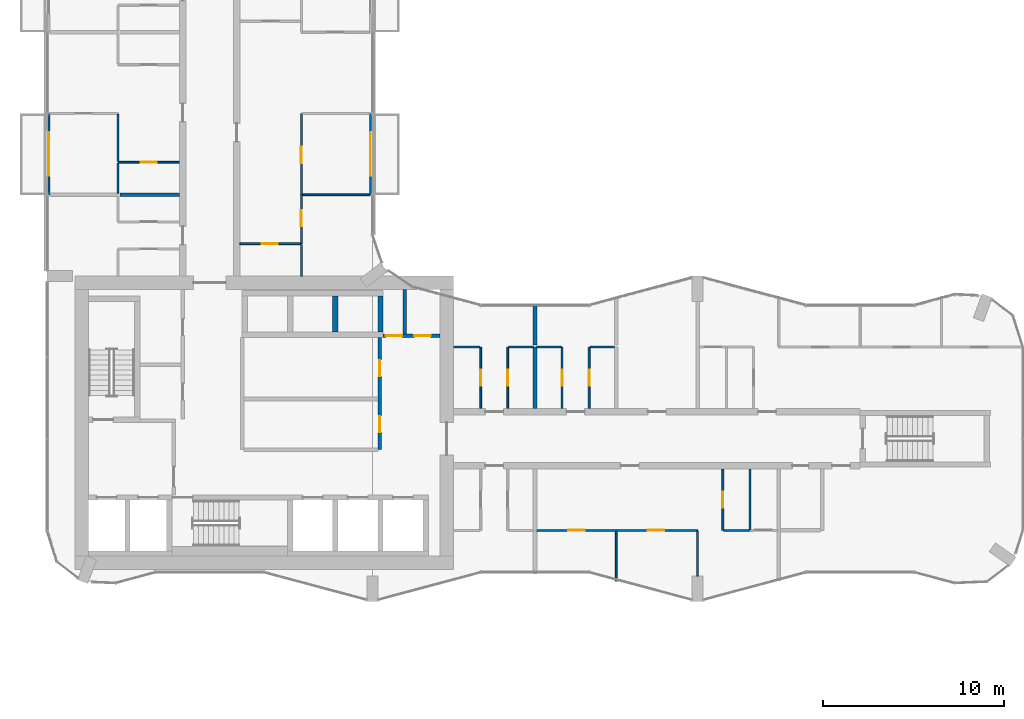
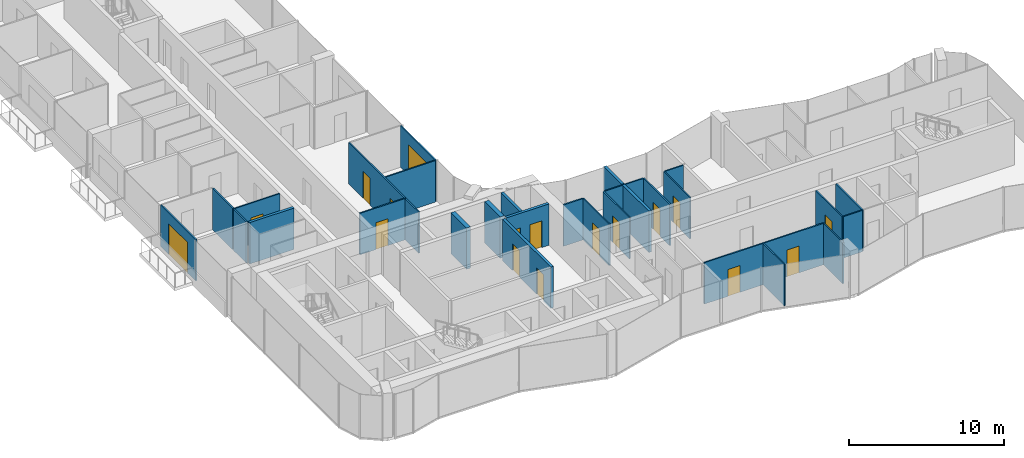
# One storey, part 14 of 23: 31 walls, 17 doors, 17 openings.
"""IFC4 building model written with IfcOpenShell, lengths in metres."""

from ifc_helpers import new_model, si_unit, direction, frame, frame_2d, origin, place, context, subcontext, project, spatial, rectangle, extrude, material, layer, layer_set, type_object, element, fill, save


model = new_model("IFC4")

# Units and contexts
model_context = context("Model", 3, precision=1e-05, world=origin(), true_north=direction((0.0, 1.0)))
body_context = subcontext(model_context, "Body", "Model", "MODEL_VIEW")
ifc_project = project(units=[si_unit("LENGTHUNIT", "METRE"), si_unit("AREAUNIT", "SQUARE_METRE"), si_unit("VOLUMEUNIT", "CUBIC_METRE"), si_unit("PLANEANGLEUNIT", "RADIAN"), si_unit("MASSUNIT", "GRAM", prefix="KILO")], contexts=[model_context])

# Site, building, storey
site_placement = place(None, origin())
site = spatial("IfcSite", under=ifc_project, at=site_placement, CompositionType="ELEMENT")
building_placement = place(site_placement, origin())
building = spatial("IfcBuilding", under=site, at=building_placement, Name="Plateau Cross Towers", CompositionType="ELEMENT")
storey_placement = place(building_placement, frame((0.0, 0.0, 33.800048828125)))
storey = spatial("IfcBuildingStorey", under=building, at=storey_placement, Name="L07", CompositionType="ELEMENT", Elevation=33.800048828125)

# Wall, opening, door
ifc_material_1 = material(Name="Aluminium framed glazing", Category="aluminium")
ifc_layer_1 = layer(ifc_material_1, 0.10009765625)
ifc_layer_set_1 = layer_set([ifc_layer_1], Name="Aluminium framed glazing")
wall_type_1 = type_object("IfcWallType", Name="Balcony screen wall 100", PredefinedType="STANDARD", material=ifc_layer_set_1)
wall_1_placement = place(storey_placement, frame((0.10009765625, 22.5, 0.0), z_axis=(0.0, 0.0, 1.0), x_axis=(0.0, 1.0, 0.0)))
wall_1 = element("IfcWall", 1, at=wall_1_placement, inside=storey, type_object=wall_type_1, Name="Balcony screen wall A-BAL-L07-01", PredefinedType="STANDARD", context=body_context, shape_type="SweptSolid", body=[
    extrude(rectangle(XDim=4.5, YDim=0.10009765625, at=frame_2d((2.25, 0.0))), origin(), (0.0, 0.0, 1.0), 3.25),
])
opening_1_placement = place(wall_1_placement, frame((1.050048828125, 0.0, 0.0)))
opening_1 = element("IfcOpeningElement", 2, at=opening_1_placement, cuts=wall_1, Name="Opening D-B24", PredefinedType="OPENING", context=body_context, shape_type="SweptSolid", body=[
    extrude(rectangle(XDim=2.39990234375, YDim=2.39990234375, at=frame_2d((1.199951171875, 1.199951171875))), frame((0.0, 0.06005859375, 0.0), z_axis=(0.0, -1.0, 0.0), x_axis=(1.0, 0.0, 0.0)), (0.0, 0.0, 1.0), 0.1201171875),
])
ifc_material_2 = material(Name="Aluminium frame, double glazing", Category="aluminium")
door_type_1 = type_object("IfcDoorType", Name="Balcony sliding door 2400", OperationType="NOTDEFINED", PredefinedType="DOOR", material=ifc_material_2)
door_1_placement = place(opening_1_placement, origin())
door_1 = element("IfcDoor", 3, at=door_1_placement, inside=storey, type_object=door_type_1, Name="Balcony door A-BAL-L07-01", OperationType="SINGLE_SWING_LEFT", OverallHeight=2.39990234375, OverallWidth=2.39990234375, PredefinedType="DOOR", context=body_context, shape_type="SweptSolid", body=[
    extrude(rectangle(XDim=2.39990234375, YDim=2.39990234375, at=frame_2d((1.199951171875, 1.199951171875))), frame((0.0, 0.02490234375, 0.0), z_axis=(0.0, -1.0, 0.0), x_axis=(1.0, 0.0, 0.0)), (0.0, 0.0, 1.0), 0.050048828125),
])
fill(opening_1, door_1)

wall_2_placement = place(storey_placement, frame((17.89990234375, 27.0, 0.0), z_axis=(0.0, 0.0, 1.0), x_axis=(0.0, -1.0, 0.0)))
wall_2 = element("IfcWall", 4, at=wall_2_placement, inside=storey, type_object=wall_type_1, Name="Balcony screen wall A-BAL-L07-04", PredefinedType="STANDARD", context=body_context, shape_type="SweptSolid", body=[
    extrude(rectangle(XDim=4.5, YDim=0.10009765625, at=frame_2d((2.25, 0.0))), origin(), (0.0, 0.0, 1.0), 3.25),
])
opening_2_placement = place(wall_2_placement, frame((1.050048828125, 0.0, 0.0)))
opening_2 = element("IfcOpeningElement", 5, at=opening_2_placement, cuts=wall_2, Name="Opening D-B24", PredefinedType="OPENING", context=body_context, shape_type="SweptSolid", body=[
    extrude(rectangle(XDim=2.39990234375, YDim=2.39990234375, at=frame_2d((1.199951171875, 1.199951171875))), frame((0.0, 0.06005859375, 0.0), z_axis=(0.0, -1.0, 0.0), x_axis=(1.0, 0.0, 0.0)), (0.0, 0.0, 1.0), 0.1201171875),
])
door_2_placement = place(opening_2_placement, origin())
door_2 = element("IfcDoor", 6, at=door_2_placement, inside=storey, type_object=door_type_1, Name="Balcony door A-BAL-L07-04", OperationType="SINGLE_SWING_LEFT", OverallHeight=2.39990234375, OverallWidth=2.39990234375, PredefinedType="DOOR", context=body_context, shape_type="SweptSolid", body=[
    extrude(rectangle(XDim=2.39990234375, YDim=2.39990234375, at=frame_2d((1.199951171875, 1.199951171875))), frame((0.0, 0.02490234375, 0.0), z_axis=(0.0, -1.0, 0.0), x_axis=(1.0, 0.0, 0.0)), (0.0, 0.0, 1.0), 0.050048828125),
])
fill(opening_2, door_2)

# Wall, openings, doors
ifc_material_3 = material(Name="Concrete block, plastered both sides", Category="concrete")
ifc_layer_2 = layer(ifc_material_3, 0.199951171875)
ifc_layer_set_2 = layer_set([ifc_layer_2], Name="Concrete block, plastered both sides")
wall_type_2 = type_object("IfcWallType", Name="Core partition 200", PredefinedType="PARTITIONING", material=ifc_layer_set_2)
wall_3_placement = place(storey_placement, frame((18.39990234375, 8.39990234375, 0.0), z_axis=(0.0, 0.0, 1.0), x_axis=(0.0, 1.0, 0.0)))
wall_3 = element("IfcWall", 7, at=wall_3_placement, inside=storey, type_object=wall_type_2, Name="Core partition", PredefinedType="PARTITIONING", context=body_context, shape_type="SweptSolid", body=[
    extrude(rectangle(XDim=6.2001953125, YDim=0.199951171875, at=frame_2d((3.10009765625, 0.0))), origin(), (0.0, 0.0, 1.0), 3.25),
])
opening_3_placement = place(wall_3_placement, frame((0.949951171875, 0.0, 0.0)))
opening_3 = element("IfcOpeningElement", 8, at=opening_3_placement, cuts=wall_3, Name="Opening RD1", PredefinedType="OPENING", context=body_context, shape_type="SweptSolid", body=[
    extrude(rectangle(XDim=0.89990234375, YDim=2.10009765625, at=frame_2d((0.449951171875, 1.050048828125))), frame((0.0, 0.10986328125, 0.0), z_axis=(0.0, -1.0, 0.0), x_axis=(1.0, 0.0, 0.0)), (0.0, 0.0, 1.0), 0.219970703125),
])
opening_4_placement = place(wall_3_placement, frame((4.050048828125, 0.0, 0.0)))
opening_4 = element("IfcOpeningElement", 9, at=opening_4_placement, cuts=wall_3, Name="Opening RD1", PredefinedType="OPENING", context=body_context, shape_type="SweptSolid", body=[
    extrude(rectangle(XDim=0.89990234375, YDim=2.10009765625, at=frame_2d((0.449951171875, 1.050048828125))), frame((0.0, 0.10986328125, 0.0), z_axis=(0.0, -1.0, 0.0), x_axis=(1.0, 0.0, 0.0)), (0.0, 0.0, 1.0), 0.219970703125),
])
ifc_material_4 = material(Name="Timber, fire-resisting leaf", Category="wood")
door_type_2 = type_object("IfcDoorType", Name="Core service door 900", OperationType="NOTDEFINED", PredefinedType="DOOR", material=ifc_material_4)
door_3_placement = place(opening_3_placement, origin())
door_3 = element("IfcDoor", 10, at=door_3_placement, inside=storey, type_object=door_type_2, Name="Core service door RD1", OperationType="SINGLE_SWING_LEFT", OverallHeight=2.10009765625, OverallWidth=0.89990234375, PredefinedType="DOOR", context=body_context, shape_type="SweptSolid", body=[
    extrude(rectangle(XDim=0.89990234375, YDim=2.10009765625, at=frame_2d((0.449951171875, 1.050048828125))), frame((0.0, 0.02490234375, 0.0), z_axis=(0.0, -1.0, 0.0), x_axis=(1.0, 0.0, 0.0)), (0.0, 0.0, 1.0), 0.050048828125),
])
fill(opening_3, door_3)
door_4_placement = place(opening_4_placement, origin())
door_4 = element("IfcDoor", 11, at=door_4_placement, inside=storey, type_object=door_type_2, Name="Core service door RD1", OperationType="SINGLE_SWING_LEFT", OverallHeight=2.10009765625, OverallWidth=0.89990234375, PredefinedType="DOOR", context=body_context, shape_type="SweptSolid", body=[
    extrude(rectangle(XDim=0.89990234375, YDim=2.10009765625, at=frame_2d((0.449951171875, 1.050048828125))), frame((0.0, 0.02490234375, 0.0), z_axis=(0.0, -1.0, 0.0), x_axis=(1.0, 0.0, 0.0)), (0.0, 0.0, 1.0), 0.050048828125),
])
fill(opening_4, door_4)

wall_4_placement = place(storey_placement, frame((18.60009765625, 14.699951171875, 0.0), z_axis=(0.0, 0.0, 1.0), x_axis=(1.0, 0.0, 0.0)))
wall_4 = element("IfcWall", 12, at=wall_4_placement, inside=storey, type_object=wall_type_2, Name="Core partition", PredefinedType="PARTITIONING", context=body_context, shape_type="SweptSolid", body=[
    extrude(rectangle(XDim=3.14990234375, YDim=0.199951171875, at=frame_2d((1.574951171875, 0.0))), origin(), (0.0, 0.0, 1.0), 3.25),
])
opening_5_placement = place(wall_4_placement, frame((0.14990234375, 0.0, 0.0)))
opening_5 = element("IfcOpeningElement", 13, at=opening_5_placement, cuts=wall_4, Name="Opening RD2", PredefinedType="OPENING", context=body_context, shape_type="SweptSolid", body=[
    extrude(rectangle(XDim=0.89990234375, YDim=2.10009765625, at=frame_2d((0.449951171875, 1.050048828125))), frame((0.0, 0.10986328125, 0.0), z_axis=(0.0, -1.0, 0.0), x_axis=(1.0, 0.0, 0.0)), (0.0, 0.0, 1.0), 0.219970703125),
])
opening_6_placement = place(wall_4_placement, frame((1.72509765625, 0.0, 0.0)))
opening_6 = element("IfcOpeningElement", 14, at=opening_6_placement, cuts=wall_4, Name="Opening RD2", PredefinedType="OPENING", context=body_context, shape_type="SweptSolid", body=[
    extrude(rectangle(XDim=0.89990234375, YDim=2.10009765625, at=frame_2d((0.449951171875, 1.050048828125))), frame((0.0, 0.10986328125, 0.0), z_axis=(0.0, -1.0, 0.0), x_axis=(1.0, 0.0, 0.0)), (0.0, 0.0, 1.0), 0.219970703125),
])
ifc_material_5 = material(Name="Steel, fire-resisting leaf", Category="steel")
door_type_3 = type_object("IfcDoorType", Name="Core riser door 900", OperationType="NOTDEFINED", PredefinedType="DOOR", material=ifc_material_5)
door_5_placement = place(opening_5_placement, origin())
door_5 = element("IfcDoor", 15, at=door_5_placement, inside=storey, type_object=door_type_3, Name="Core riser door RD2", OperationType="SINGLE_SWING_LEFT", OverallHeight=2.10009765625, OverallWidth=0.89990234375, PredefinedType="DOOR", context=body_context, shape_type="SweptSolid", body=[
    extrude(rectangle(XDim=0.89990234375, YDim=2.10009765625, at=frame_2d((0.449951171875, 1.050048828125))), frame((0.0, 0.02490234375, 0.0), z_axis=(0.0, -1.0, 0.0), x_axis=(1.0, 0.0, 0.0)), (0.0, 0.0, 1.0), 0.050048828125),
])
fill(opening_5, door_5)
door_6_placement = place(opening_6_placement, origin())
door_6 = element("IfcDoor", 16, at=door_6_placement, inside=storey, type_object=door_type_3, Name="Core riser door RD2", OperationType="SINGLE_SWING_LEFT", OverallHeight=2.10009765625, OverallWidth=0.89990234375, PredefinedType="DOOR", context=body_context, shape_type="SweptSolid", body=[
    extrude(rectangle(XDim=0.89990234375, YDim=2.10009765625, at=frame_2d((0.449951171875, 1.050048828125))), frame((0.0, 0.02490234375, 0.0), z_axis=(0.0, -1.0, 0.0), x_axis=(1.0, 0.0, 0.0)), (0.0, 0.0, 1.0), 0.050048828125),
])
fill(opening_6, door_6)

# Walls
wall_5_placement = place(storey_placement, frame((19.800048828125, 14.800048828125, 0.0), z_axis=(0.0, 0.0, 1.0), x_axis=(0.0, 1.0, 0.0)))
element("IfcWall", 17, at=wall_5_placement, inside=storey, type_object=wall_type_2, Name="Core partition", PredefinedType="PARTITIONING", context=body_context, shape_type="SweptSolid", body=[
    extrude(rectangle(XDim=2.449951171875, YDim=0.199951171875, at=frame_2d((1.22509765625, 0.0))), origin(), (0.0, 0.0, 1.0), 3.25),
])
ifc_material_6 = material(Name="Concrete C60/75", Category="concrete")
ifc_layer_3 = layer(ifc_material_6, 0.300048828125)
ifc_layer_set_3 = layer_set([ifc_layer_3], Name="Concrete C60/75")
wall_type_3 = type_object("IfcWallType", Name="Core shaft wall 300", PredefinedType="SHEAR", material=ifc_layer_set_3)
for number, where, z_axis, x_axis, name in (
    (18, (15.949951171875, 14.89990234375, 0.0), (0.0, 0.0, 1.0), (0.0, 1.0, 0.0), "A-nb-v3@L07"),
    (19, (18.449951171875, 14.89990234375, 0.0), (0.0, 0.0, 1.0), (0.0, 1.0, 0.0), "A-nb-v4@L07"),
):
    element("IfcWall", number, at=place(storey_placement, frame(where, z_axis=z_axis, x_axis=x_axis)), inside=storey, type_object=wall_type_3, Name=name, PredefinedType="SHEAR", context=body_context, shape_type="SweptSolid", body=[
        extrude(rectangle(XDim=2.0, YDim=0.300048828125, at=frame_2d((1.0, 0.0))), origin(), (0.0, 0.0, 1.0), 3.25),
    ])

# Wall, openings, doors
ifc_material_7 = material(Name="Gypsum board on steel studs", Category="steel")
ifc_layer_4 = layer(ifc_material_7, 0.10009765625)
ifc_layer_set_4 = layer_set([ifc_layer_4], Name="Gypsum board on steel studs")
wall_type_4 = type_object("IfcWallType", Name="Flat partition 100", PredefinedType="PARTITIONING", material=ifc_layer_set_4)
wall_6_placement = place(storey_placement, frame((36.0, 3.925048828125, 0.0), z_axis=(0.0, 0.0, 1.0), x_axis=(-1.0, 0.0, 0.0)))
wall_6 = element("IfcWall", 20, at=wall_6_placement, inside=storey, type_object=wall_type_4, Name="Partition wall", PredefinedType="PARTITIONING", context=body_context, shape_type="SweptSolid", body=[
    extrude(rectangle(XDim=8.89990234375, YDim=0.10009765625, at=frame_2d((4.449951171875, 0.0))), origin(), (0.0, 0.0, 1.0), 3.25),
])
opening_7_placement = place(wall_6_placement, frame((6.25, 0.0, 0.0)))
opening_7 = element("IfcOpeningElement", 21, at=opening_7_placement, cuts=wall_6, Name="Opening 07-21", PredefinedType="OPENING", context=body_context, shape_type="SweptSolid", body=[
    extrude(rectangle(XDim=0.89990234375, YDim=2.10009765625, at=frame_2d((0.449951171875, 1.050048828125))), frame((0.0, 0.06005859375, 0.0), z_axis=(0.0, -1.0, 0.0), x_axis=(1.0, 0.0, 0.0)), (0.0, 0.0, 1.0), 0.1201171875),
])
opening_8_placement = place(wall_6_placement, frame((1.85009765625, 0.0, 0.0)))
opening_8 = element("IfcOpeningElement", 22, at=opening_8_placement, cuts=wall_6, Name="Opening 07-22", PredefinedType="OPENING", context=body_context, shape_type="SweptSolid", body=[
    extrude(rectangle(XDim=0.89990234375, YDim=2.10009765625, at=frame_2d((0.449951171875, 1.050048828125))), frame((0.0, 0.06005859375, 0.0), z_axis=(0.0, -1.0, 0.0), x_axis=(1.0, 0.0, 0.0)), (0.0, 0.0, 1.0), 0.1201171875),
])
ifc_material_8 = material(Name="Timber leaf", Category="wood")
door_type_4 = type_object("IfcDoorType", Name="Flat room door 900", OperationType="NOTDEFINED", PredefinedType="DOOR", material=ifc_material_8)
door_7_placement = place(opening_7_placement, origin())
door_7 = element("IfcDoor", 23, at=door_7_placement, inside=storey, type_object=door_type_4, Name="Door 07-21", OperationType="SINGLE_SWING_RIGHT", OverallHeight=2.10009765625, OverallWidth=0.89990234375, PredefinedType="DOOR", context=body_context, shape_type="SweptSolid", body=[
    extrude(rectangle(XDim=0.89990234375, YDim=2.10009765625, at=frame_2d((0.449951171875, 1.050048828125))), frame((0.0, 0.02490234375, 0.0), z_axis=(0.0, -1.0, 0.0), x_axis=(1.0, 0.0, 0.0)), (0.0, 0.0, 1.0), 0.050048828125),
])
fill(opening_7, door_7)
door_8_placement = place(opening_8_placement, origin())
door_8 = element("IfcDoor", 24, at=door_8_placement, inside=storey, type_object=door_type_4, Name="Door 07-22", OperationType="SINGLE_SWING_LEFT", OverallHeight=2.10009765625, OverallWidth=0.89990234375, PredefinedType="DOOR", context=body_context, shape_type="SweptSolid", body=[
    extrude(rectangle(XDim=0.89990234375, YDim=2.10009765625, at=frame_2d((0.449951171875, 1.050048828125))), frame((0.0, 0.02490234375, 0.0), z_axis=(0.0, -1.0, 0.0), x_axis=(1.0, 0.0, 0.0)), (0.0, 0.0, 1.0), 0.050048828125),
])
fill(opening_8, door_8)

# Walls
wall_7_placement = place(storey_placement, frame((37.449951171875, 3.925048828125, 0.0), z_axis=(0.0, 0.0, 1.0), x_axis=(1.0, 0.0, 0.0)))
element("IfcWall", 25, at=wall_7_placement, inside=storey, type_object=wall_type_4, Name="Partition wall", PredefinedType="PARTITIONING", context=body_context, shape_type="SweptSolid", body=[
    extrude(rectangle(XDim=1.400146484375, YDim=0.10009765625, at=frame_2d((0.7001953125, 0.0))), origin(), (0.0, 0.0, 1.0), 3.25),
])
wall_8_placement = place(storey_placement, frame((23.949951171875, 14.074951171875, 0.0), z_axis=(0.0, 0.0, 1.0), x_axis=(-1.0, 0.0, 0.0)))
element("IfcWall", 26, at=wall_8_placement, inside=storey, type_object=wall_type_4, Name="Partition wall", PredefinedType="PARTITIONING", context=body_context, shape_type="SweptSolid", body=[
    extrude(rectangle(XDim=1.449951171875, YDim=0.10009765625, at=frame_2d((0.72509765625, 0.0))), origin(), (0.0, 0.0, 1.0), 3.25),
])
for number, where, z_axis, x_axis, name in (
    (27, (26.89990234375, 14.074951171875, 0.0), (0.0, 0.0, 1.0), (-1.0, 0.0, 0.0), "Partition wall"),
    (28, (28.449951171875, 14.074951171875, 0.0), (0.0, 0.0, 1.0), (-1.0, 0.0, 0.0), "Partition wall"),
    (29, (31.39990234375, 14.074951171875, 0.0), (0.0, 0.0, 1.0), (-1.0, 0.0, 0.0), "Partition wall"),
):
    element("IfcWall", number, at=place(storey_placement, frame(where, z_axis=z_axis, x_axis=x_axis)), inside=storey, type_object=wall_type_4, Name=name, PredefinedType="PARTITIONING", context=body_context, shape_type="SweptSolid", body=[
        extrude(rectangle(XDim=1.349853515625, YDim=0.10009765625, at=frame_2d((0.6748046875, 0.0))), origin(), (0.0, 0.0, 1.0), 3.25),
    ])

# Wall, opening, door
wall_9_placement = place(storey_placement, frame((14.02490234375, 19.800048828125, 0.0), z_axis=(0.0, 0.0, 1.0), x_axis=(-1.0, 0.0, 0.0)))
wall_9 = element("IfcWall", 30, at=wall_9_placement, inside=storey, type_object=wall_type_4, Name="Partition wall", PredefinedType="PARTITIONING", context=body_context, shape_type="SweptSolid", body=[
    extrude(rectangle(XDim=3.349853515625, YDim=0.10009765625, at=frame_2d((1.6748046875, 0.0))), origin(), (0.0, 0.0, 1.0), 3.25),
])
opening_9_placement = place(wall_9_placement, frame((1.25, 0.0, 0.0)))
opening_9 = element("IfcOpeningElement", 31, at=opening_9_placement, cuts=wall_9, Name="Opening 07-44", PredefinedType="OPENING", context=body_context, shape_type="SweptSolid", body=[
    extrude(rectangle(XDim=0.89990234375, YDim=2.10009765625, at=frame_2d((0.449951171875, 1.050048828125))), frame((0.0, 0.06005859375, 0.0), z_axis=(0.0, -1.0, 0.0), x_axis=(1.0, 0.0, 0.0)), (0.0, 0.0, 1.0), 0.1201171875),
])
door_9_placement = place(opening_9_placement, origin())
door_9 = element("IfcDoor", 32, at=door_9_placement, inside=storey, type_object=door_type_4, Name="Door 07-44", OperationType="SINGLE_SWING_RIGHT", OverallHeight=2.10009765625, OverallWidth=0.89990234375, PredefinedType="DOOR", context=body_context, shape_type="SweptSolid", body=[
    extrude(rectangle(XDim=0.89990234375, YDim=2.10009765625, at=frame_2d((0.449951171875, 1.050048828125))), frame((0.0, 0.02490234375, 0.0), z_axis=(0.0, -1.0, 0.0), x_axis=(1.0, 0.0, 0.0)), (0.0, 0.0, 1.0), 0.050048828125),
])
fill(opening_9, door_9)

# Wall
wall_10_placement = place(storey_placement, frame((17.85009765625, 22.5, 0.0), z_axis=(0.0, 0.0, 1.0), x_axis=(-1.0, 0.0, 0.0)))
element("IfcWall", 33, at=wall_10_placement, inside=storey, type_object=wall_type_4, Name="Partition wall", PredefinedType="PARTITIONING", context=body_context, shape_type="SweptSolid", body=[
    extrude(rectangle(XDim=3.72509765625, YDim=0.10009765625, at=frame_2d((1.862548828125, 0.0))), origin(), (0.0, 0.0, 1.0), 3.25),
])

# Wall, opening, door
wall_11_placement = place(storey_placement, frame((7.324951171875, 24.300048828125, 0.0), z_axis=(0.0, 0.0, 1.0), x_axis=(-1.0, 0.0, 0.0)))
wall_11 = element("IfcWall", 34, at=wall_11_placement, inside=storey, type_object=wall_type_4, Name="Partition wall", PredefinedType="PARTITIONING", context=body_context, shape_type="SweptSolid", body=[
    extrude(rectangle(XDim=3.39990234375, YDim=0.10009765625, at=frame_2d((1.699951171875, 0.0))), origin(), (0.0, 0.0, 1.0), 3.25),
])
opening_10_placement = place(wall_11_placement, frame((1.25, 0.0, 0.0)))
opening_10 = element("IfcOpeningElement", 35, at=opening_10_placement, cuts=wall_11, Name="Opening 07-34", PredefinedType="OPENING", context=body_context, shape_type="SweptSolid", body=[
    extrude(rectangle(XDim=0.89990234375, YDim=2.10009765625, at=frame_2d((0.449951171875, 1.050048828125))), frame((0.0, 0.06005859375, 0.0), z_axis=(0.0, -1.0, 0.0), x_axis=(1.0, 0.0, 0.0)), (0.0, 0.0, 1.0), 0.1201171875),
])
door_10_placement = place(opening_10_placement, origin())
door_10 = element("IfcDoor", 36, at=door_10_placement, inside=storey, type_object=door_type_4, Name="Door 07-34", OperationType="SINGLE_SWING_LEFT", OverallHeight=2.10009765625, OverallWidth=0.89990234375, PredefinedType="DOOR", context=body_context, shape_type="SweptSolid", body=[
    extrude(rectangle(XDim=0.89990234375, YDim=2.10009765625, at=frame_2d((0.449951171875, 1.050048828125))), frame((0.0, 0.02490234375, 0.0), z_axis=(0.0, -1.0, 0.0), x_axis=(1.0, 0.0, 0.0)), (0.0, 0.0, 1.0), 0.050048828125),
])
fill(opening_10, door_10)

# Walls
wall_12_placement = place(storey_placement, frame((3.925048828125, 24.25, 0.0), z_axis=(0.0, 0.0, 1.0), x_axis=(0.0, -1.0, 0.0)))
element("IfcWall", 37, at=wall_12_placement, inside=storey, type_object=wall_type_4, Name="Partition wall", PredefinedType="PARTITIONING", context=body_context, shape_type="SweptSolid", body=[
    extrude(rectangle(XDim=1.64990234375, YDim=0.10009765625, at=frame_2d((0.824951171875, 0.0))), origin(), (0.0, 0.0, 1.0), 3.25),
])
wall_13_placement = place(storey_placement, frame((3.925048828125, 24.35009765625, 0.0), z_axis=(0.0, 0.0, 1.0), x_axis=(0.0, 1.0, 0.0)))
element("IfcWall", 38, at=wall_13_placement, inside=storey, type_object=wall_type_4, Name="Partition wall", PredefinedType="PARTITIONING", context=body_context, shape_type="SweptSolid", body=[
    extrude(rectangle(XDim=2.599853515625, YDim=0.10009765625, at=frame_2d((1.2998046875, 0.0))), origin(), (0.0, 0.0, 1.0), 3.25),
])

# Wall, openings, doors
wall_14_placement = place(storey_placement, frame((14.074951171875, 27.0, 0.0), z_axis=(0.0, 0.0, 1.0), x_axis=(0.0, -1.0, 0.0)))
wall_14 = element("IfcWall", 39, at=wall_14_placement, inside=storey, type_object=wall_type_4, Name="Partition wall", PredefinedType="PARTITIONING", context=body_context, shape_type="SweptSolid", body=[
    extrude(rectangle(XDim=7.199951171875, YDim=0.10009765625, at=frame_2d((3.60009765625, 0.0))), origin(), (0.0, 0.0, 1.0), 3.25),
])
opening_11_placement = place(wall_14_placement, frame((5.35009765625, 0.0, 0.0)))
opening_11 = element("IfcOpeningElement", 40, at=opening_11_placement, cuts=wall_14, Name="Opening 07-46", PredefinedType="OPENING", context=body_context, shape_type="SweptSolid", body=[
    extrude(rectangle(XDim=0.89990234375, YDim=2.10009765625, at=frame_2d((0.449951171875, 1.050048828125))), frame((0.0, 0.06005859375, 0.0), z_axis=(0.0, -1.0, 0.0), x_axis=(1.0, 0.0, 0.0)), (0.0, 0.0, 1.0), 0.1201171875),
])
opening_12_placement = place(wall_14_placement, frame((1.85009765625, 0.0, 0.0)))
opening_12 = element("IfcOpeningElement", 41, at=opening_12_placement, cuts=wall_14, Name="Opening 07-47", PredefinedType="OPENING", context=body_context, shape_type="SweptSolid", body=[
    extrude(rectangle(XDim=0.89990234375, YDim=2.10009765625, at=frame_2d((0.449951171875, 1.050048828125))), frame((0.0, 0.06005859375, 0.0), z_axis=(0.0, -1.0, 0.0), x_axis=(1.0, 0.0, 0.0)), (0.0, 0.0, 1.0), 0.1201171875),
])
door_11_placement = place(opening_11_placement, origin())
door_11 = element("IfcDoor", 42, at=door_11_placement, inside=storey, type_object=door_type_4, Name="Door 07-46", OperationType="SINGLE_SWING_RIGHT", OverallHeight=2.10009765625, OverallWidth=0.89990234375, PredefinedType="DOOR", context=body_context, shape_type="SweptSolid", body=[
    extrude(rectangle(XDim=0.89990234375, YDim=2.10009765625, at=frame_2d((0.449951171875, 1.050048828125))), frame((0.0, 0.02490234375, 0.0), z_axis=(0.0, -1.0, 0.0), x_axis=(1.0, 0.0, 0.0)), (0.0, 0.0, 1.0), 0.050048828125),
])
fill(opening_11, door_11)
door_12_placement = place(opening_12_placement, origin())
door_12 = element("IfcDoor", 43, at=door_12_placement, inside=storey, type_object=door_type_4, Name="Door 07-47", OperationType="SINGLE_SWING_LEFT", OverallHeight=2.10009765625, OverallWidth=0.89990234375, PredefinedType="DOOR", context=body_context, shape_type="SweptSolid", body=[
    extrude(rectangle(XDim=0.89990234375, YDim=2.10009765625, at=frame_2d((0.449951171875, 1.050048828125))), frame((0.0, 0.02490234375, 0.0), z_axis=(0.0, -1.0, 0.0), x_axis=(1.0, 0.0, 0.0)), (0.0, 0.0, 1.0), 0.050048828125),
])
fill(opening_12, door_12)

# Wall
wall_15_placement = place(storey_placement, frame((14.074951171875, 18.0, 0.0), z_axis=(0.0, 0.0, 1.0), x_axis=(0.0, 1.0, 0.0)))
element("IfcWall", 44, at=wall_15_placement, inside=storey, type_object=wall_type_4, Name="Partition wall", PredefinedType="PARTITIONING", context=body_context, shape_type="SweptSolid", body=[
    extrude(rectangle(XDim=1.75, YDim=0.10009765625, at=frame_2d((0.875, 0.0))), origin(), (0.0, 0.0, 1.0), 3.25),
])

# Wall, opening, door
wall_16_placement = place(storey_placement, frame((24.0, 10.675048828125, 0.0), z_axis=(0.0, 0.0, 1.0), x_axis=(0.0, 1.0, 0.0)))
wall_16 = element("IfcWall", 45, at=wall_16_placement, inside=storey, type_object=wall_type_4, Name="Partition wall", PredefinedType="PARTITIONING", context=body_context, shape_type="SweptSolid", body=[
    extrude(rectangle(XDim=3.39990234375, YDim=0.10009765625, at=frame_2d((1.699951171875, 0.0))), origin(), (0.0, 0.0, 1.0), 3.25),
])
opening_13_placement = place(wall_16_placement, frame((1.25, 0.0, 0.0)))
opening_13 = element("IfcOpeningElement", 46, at=opening_13_placement, cuts=wall_16, Name="Opening 07-23", PredefinedType="OPENING", context=body_context, shape_type="SweptSolid", body=[
    extrude(rectangle(XDim=0.89990234375, YDim=2.10009765625, at=frame_2d((0.449951171875, 1.050048828125))), frame((0.0, 0.06005859375, 0.0), z_axis=(0.0, -1.0, 0.0), x_axis=(1.0, 0.0, 0.0)), (0.0, 0.0, 1.0), 0.1201171875),
])
door_13_placement = place(opening_13_placement, origin())
door_13 = element("IfcDoor", 47, at=door_13_placement, inside=storey, type_object=door_type_4, Name="Door 07-23", OperationType="SINGLE_SWING_RIGHT", OverallHeight=2.10009765625, OverallWidth=0.89990234375, PredefinedType="DOOR", context=body_context, shape_type="SweptSolid", body=[
    extrude(rectangle(XDim=0.89990234375, YDim=2.10009765625, at=frame_2d((0.449951171875, 1.050048828125))), frame((0.0, 0.02490234375, 0.0), z_axis=(0.0, -1.0, 0.0), x_axis=(1.0, 0.0, 0.0)), (0.0, 0.0, 1.0), 0.050048828125),
])
fill(opening_13, door_13)

wall_17_placement = place(storey_placement, frame((25.5, 14.074951171875, 0.0), z_axis=(0.0, 0.0, 1.0), x_axis=(0.0, -1.0, 0.0)))
wall_17 = element("IfcWall", 48, at=wall_17_placement, inside=storey, type_object=wall_type_4, Name="Partition wall", PredefinedType="PARTITIONING", context=body_context, shape_type="SweptSolid", body=[
    extrude(rectangle(XDim=3.39990234375, YDim=0.10009765625, at=frame_2d((1.699951171875, 0.0))), origin(), (0.0, 0.0, 1.0), 3.25),
])
opening_14_placement = place(wall_17_placement, frame((1.25, 0.0, 0.0)))
opening_14 = element("IfcOpeningElement", 49, at=opening_14_placement, cuts=wall_17, Name="Opening 07-24", PredefinedType="OPENING", context=body_context, shape_type="SweptSolid", body=[
    extrude(rectangle(XDim=0.89990234375, YDim=2.10009765625, at=frame_2d((0.449951171875, 1.050048828125))), frame((0.0, 0.06005859375, 0.0), z_axis=(0.0, -1.0, 0.0), x_axis=(1.0, 0.0, 0.0)), (0.0, 0.0, 1.0), 0.1201171875),
])
door_14_placement = place(opening_14_placement, origin())
door_14 = element("IfcDoor", 50, at=door_14_placement, inside=storey, type_object=door_type_4, Name="Door 07-24", OperationType="SINGLE_SWING_RIGHT", OverallHeight=2.10009765625, OverallWidth=0.89990234375, PredefinedType="DOOR", context=body_context, shape_type="SweptSolid", body=[
    extrude(rectangle(XDim=0.89990234375, YDim=2.10009765625, at=frame_2d((0.449951171875, 1.050048828125))), frame((0.0, 0.02490234375, 0.0), z_axis=(0.0, -1.0, 0.0), x_axis=(1.0, 0.0, 0.0)), (0.0, 0.0, 1.0), 0.050048828125),
])
fill(opening_14, door_14)

wall_18_placement = place(storey_placement, frame((28.5, 10.675048828125, 0.0), z_axis=(0.0, 0.0, 1.0), x_axis=(0.0, 1.0, 0.0)))
wall_18 = element("IfcWall", 51, at=wall_18_placement, inside=storey, type_object=wall_type_4, Name="Partition wall", PredefinedType="PARTITIONING", context=body_context, shape_type="SweptSolid", body=[
    extrude(rectangle(XDim=3.39990234375, YDim=0.10009765625, at=frame_2d((1.699951171875, 0.0))), origin(), (0.0, 0.0, 1.0), 3.25),
])
opening_15_placement = place(wall_18_placement, frame((1.25, 0.0, 0.0)))
opening_15 = element("IfcOpeningElement", 52, at=opening_15_placement, cuts=wall_18, Name="Opening 07-25", PredefinedType="OPENING", context=body_context, shape_type="SweptSolid", body=[
    extrude(rectangle(XDim=0.89990234375, YDim=2.10009765625, at=frame_2d((0.449951171875, 1.050048828125))), frame((0.0, 0.06005859375, 0.0), z_axis=(0.0, -1.0, 0.0), x_axis=(1.0, 0.0, 0.0)), (0.0, 0.0, 1.0), 0.1201171875),
])
door_15_placement = place(opening_15_placement, origin())
door_15 = element("IfcDoor", 53, at=door_15_placement, inside=storey, type_object=door_type_4, Name="Door 07-25", OperationType="SINGLE_SWING_RIGHT", OverallHeight=2.10009765625, OverallWidth=0.89990234375, PredefinedType="DOOR", context=body_context, shape_type="SweptSolid", body=[
    extrude(rectangle(XDim=0.89990234375, YDim=2.10009765625, at=frame_2d((0.449951171875, 1.050048828125))), frame((0.0, 0.02490234375, 0.0), z_axis=(0.0, -1.0, 0.0), x_axis=(1.0, 0.0, 0.0)), (0.0, 0.0, 1.0), 0.050048828125),
])
fill(opening_15, door_15)

wall_19_placement = place(storey_placement, frame((30.0, 14.074951171875, 0.0), z_axis=(0.0, 0.0, 1.0), x_axis=(0.0, -1.0, 0.0)))
wall_19 = element("IfcWall", 54, at=wall_19_placement, inside=storey, type_object=wall_type_4, Name="Partition wall", PredefinedType="PARTITIONING", context=body_context, shape_type="SweptSolid", body=[
    extrude(rectangle(XDim=3.39990234375, YDim=0.10009765625, at=frame_2d((1.699951171875, 0.0))), origin(), (0.0, 0.0, 1.0), 3.25),
])
opening_16_placement = place(wall_19_placement, frame((1.25, 0.0, 0.0)))
opening_16 = element("IfcOpeningElement", 55, at=opening_16_placement, cuts=wall_19, Name="Opening 07-26", PredefinedType="OPENING", context=body_context, shape_type="SweptSolid", body=[
    extrude(rectangle(XDim=0.89990234375, YDim=2.10009765625, at=frame_2d((0.449951171875, 1.050048828125))), frame((0.0, 0.06005859375, 0.0), z_axis=(0.0, -1.0, 0.0), x_axis=(1.0, 0.0, 0.0)), (0.0, 0.0, 1.0), 0.1201171875),
])
door_16_placement = place(opening_16_placement, origin())
door_16 = element("IfcDoor", 56, at=door_16_placement, inside=storey, type_object=door_type_4, Name="Door 07-26", OperationType="SINGLE_SWING_RIGHT", OverallHeight=2.10009765625, OverallWidth=0.89990234375, PredefinedType="DOOR", context=body_context, shape_type="SweptSolid", body=[
    extrude(rectangle(XDim=0.89990234375, YDim=2.10009765625, at=frame_2d((0.449951171875, 1.050048828125))), frame((0.0, 0.02490234375, 0.0), z_axis=(0.0, -1.0, 0.0), x_axis=(1.0, 0.0, 0.0)), (0.0, 0.0, 1.0), 0.050048828125),
])
fill(opening_16, door_16)

# Walls
wall_20_placement = place(storey_placement, frame((31.5, 1.122314453125, 0.0), z_axis=(0.0, 0.0, 1.0), x_axis=(0.0, 1.0, 0.0)))
element("IfcWall", 57, at=wall_20_placement, inside=storey, type_object=wall_type_4, Name="Partition wall", PredefinedType="PARTITIONING", context=body_context, shape_type="SweptSolid", body=[
    extrude(rectangle(XDim=2.752685546875, YDim=0.10009765625, at=frame_2d((1.37646484375, 0.0))), origin(), (0.0, 0.0, 1.0), 3.25),
])
wall_21_placement = place(storey_placement, frame((36.0, 1.39990234375, 0.0), z_axis=(0.0, 0.0, 1.0), x_axis=(0.0, 1.0, 0.0)))
element("IfcWall", 58, at=wall_21_placement, inside=storey, type_object=wall_type_4, Name="Partition wall", PredefinedType="PARTITIONING", context=body_context, shape_type="SweptSolid", body=[
    extrude(rectangle(XDim=2.47509765625, YDim=0.10009765625, at=frame_2d((1.237548828125, 0.0))), origin(), (0.0, 0.0, 1.0), 3.25),
])

# Wall, opening, door
wall_22_placement = place(storey_placement, frame((37.39990234375, 7.324951171875, 0.0), z_axis=(0.0, 0.0, 1.0), x_axis=(0.0, -1.0, 0.0)))
wall_22 = element("IfcWall", 59, at=wall_22_placement, inside=storey, type_object=wall_type_4, Name="Partition wall", PredefinedType="PARTITIONING", context=body_context, shape_type="SweptSolid", body=[
    extrude(rectangle(XDim=3.39990234375, YDim=0.10009765625, at=frame_2d((1.699951171875, 0.0))), origin(), (0.0, 0.0, 1.0), 3.25),
])
opening_17_placement = place(wall_22_placement, frame((1.25, 0.0, 0.0)))
opening_17 = element("IfcOpeningElement", 60, at=opening_17_placement, cuts=wall_22, Name="Opening 07-19", PredefinedType="OPENING", context=body_context, shape_type="SweptSolid", body=[
    extrude(rectangle(XDim=0.89990234375, YDim=2.10009765625, at=frame_2d((0.449951171875, 1.050048828125))), frame((0.0, 0.06005859375, 0.0), z_axis=(0.0, -1.0, 0.0), x_axis=(1.0, 0.0, 0.0)), (0.0, 0.0, 1.0), 0.1201171875),
])
door_17_placement = place(opening_17_placement, origin())
door_17 = element("IfcDoor", 61, at=door_17_placement, inside=storey, type_object=door_type_4, Name="Door 07-19", OperationType="SINGLE_SWING_LEFT", OverallHeight=2.10009765625, OverallWidth=0.89990234375, PredefinedType="DOOR", context=body_context, shape_type="SweptSolid", body=[
    extrude(rectangle(XDim=0.89990234375, YDim=2.10009765625, at=frame_2d((0.449951171875, 1.050048828125))), frame((0.0, 0.02490234375, 0.0), z_axis=(0.0, -1.0, 0.0), x_axis=(1.0, 0.0, 0.0)), (0.0, 0.0, 1.0), 0.050048828125),
])
fill(opening_17, door_17)

# Walls
wall_23_placement = place(storey_placement, frame((38.89990234375, 3.925048828125, 0.0), z_axis=(0.0, 0.0, 1.0), x_axis=(0.0, 1.0, 0.0)))
element("IfcWall", 62, at=wall_23_placement, inside=storey, type_object=wall_type_4, Name="Partition wall", PredefinedType="PARTITIONING", context=body_context, shape_type="SweptSolid", body=[
    extrude(rectangle(XDim=3.39990234375, YDim=0.10009765625, at=frame_2d((1.699951171875, 0.0))), origin(), (0.0, 0.0, 1.0), 3.25),
])
ifc_material_9 = material(Name="Gypsum board on steel studs, two layers each side", Category="steel")
ifc_layer_5 = layer(ifc_material_9, 0.199951171875)
ifc_layer_set_5 = layer_set([ifc_layer_5], Name="Gypsum board on steel studs, two layers each side")
wall_type_5 = type_object("IfcWallType", Name="Flat party wall 200", PredefinedType="PARTITIONING", material=ifc_layer_set_5)
wall_24_placement = place(storey_placement, frame((7.324951171875, 22.5, 0.0), z_axis=(0.0, 0.0, 1.0), x_axis=(-1.0, 0.0, 0.0)))
element("IfcWall", 63, at=wall_24_placement, inside=storey, type_object=wall_type_5, Name="Party wall", PredefinedType="PARTITIONING", context=body_context, shape_type="SweptSolid", body=[
    extrude(rectangle(XDim=3.300048828125, YDim=0.199951171875, at=frame_2d((1.64990234375, 0.0))), origin(), (0.0, 0.0, 1.0), 3.25),
])
wall_25_placement = place(storey_placement, frame((27.0, 16.47314453125, 0.0), z_axis=(0.0, 0.0, 1.0), x_axis=(0.0, -1.0, 0.0)))
element("IfcWall", 64, at=wall_25_placement, inside=storey, type_object=wall_type_5, Name="Party wall", PredefinedType="PARTITIONING", context=body_context, shape_type="SweptSolid", body=[
    extrude(rectangle(XDim=2.298095703125, YDim=0.199951171875, at=frame_2d((1.14892578125, 0.0))), origin(), (0.0, 0.0, 1.0), 3.25),
])
wall_26_placement = place(storey_placement, frame((27.0, 10.675048828125, 0.0), z_axis=(0.0, 0.0, 1.0), x_axis=(0.0, 1.0, 0.0)))
element("IfcWall", 65, at=wall_26_placement, inside=storey, type_object=wall_type_5, Name="Party wall", PredefinedType="PARTITIONING", context=body_context, shape_type="SweptSolid", body=[
    extrude(rectangle(XDim=3.39990234375, YDim=0.199951171875, at=frame_2d((1.699951171875, 0.0))), origin(), (0.0, 0.0, 1.0), 3.25),
])

save(model, "model.ifc")
